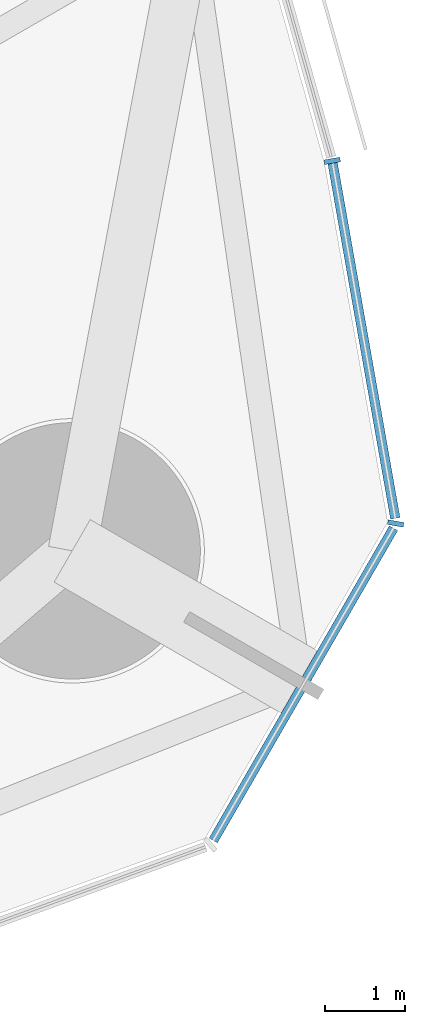
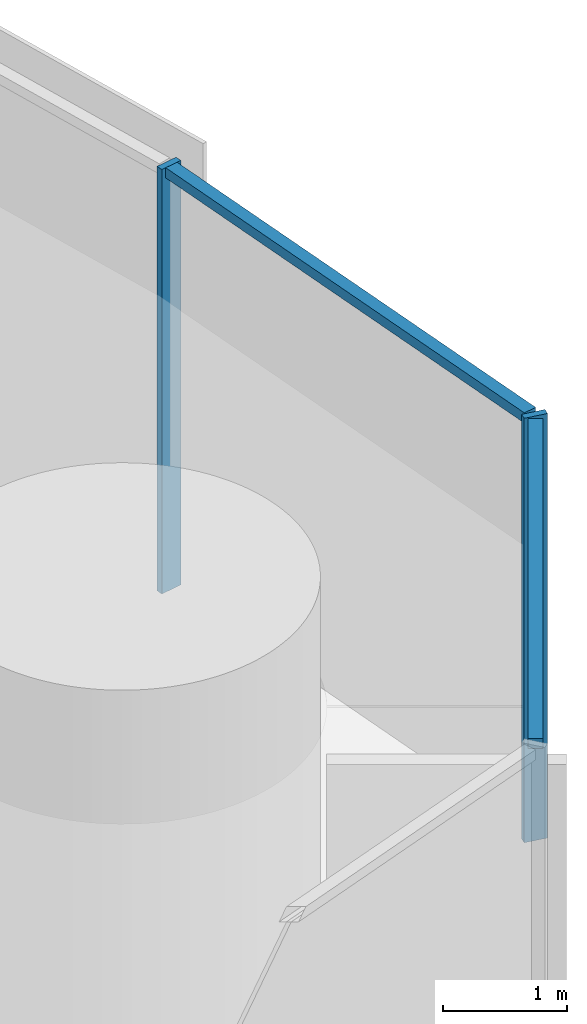
# One storey, part 9 of 19: 4 members, 1 element without a shape of its own.
"""IFC4 building model written with IfcOpenShell, lengths in metres."""

from ifc_helpers import new_model, si_unit, direction, frame, origin, origin_2d, place, context, subcontext, project, spatial, rectangle, extrude, material, material_profile, profile_set, type_object, element, aggregate, save


model = new_model("IFC4")

# Units and contexts
model_context = context("Model", 3, precision=1e-05, world=origin(), true_north=direction((0.0, 1.0)))
body_context = subcontext(model_context, "Body", "Model", "MODEL_VIEW")
ifc_project = project(units=[si_unit("LENGTHUNIT", "METRE"), si_unit("AREAUNIT", "SQUARE_METRE"), si_unit("VOLUMEUNIT", "CUBIC_METRE"), si_unit("PLANEANGLEUNIT", "RADIAN"), si_unit("MASSUNIT", "GRAM", prefix="KILO")], contexts=[model_context])

# Site, building, storey
site_placement = place(None, origin())
site = spatial("IfcSite", under=ifc_project, at=site_placement, CompositionType="ELEMENT")
building_placement = place(site_placement, origin())
building = spatial("IfcBuilding", under=site, at=building_placement, Name="Trefoil Bronze Tower", CompositionType="ELEMENT")
storey_placement = place(building_placement, frame((0.0, 0.0, 206.5)))
storey = spatial("IfcBuildingStorey", under=building, at=storey_placement, Name="L47", CompositionType="ELEMENT", Elevation=206.5)

# Curtain wall, members
ifc_material_1 = material(Name="Tinted solar-control glass", Category="glass")
curtain_wall_type = type_object("IfcCurtainWallType", Name="Bronze rounded corner curtain wall", PredefinedType="USERDEFINED", material=ifc_material_1)
curtain_wall_placement = place(storey_placement, origin())
curtain_wall = element("IfcCurtainWall", 1, at=curtain_wall_placement, inside=storey, type_object=curtain_wall_type, Name="CW-B L47 K1", ObjectType="CURTAIN WALL", PredefinedType="USERDEFINED")
ifc_material_2 = material(Name="Bronze-finish aluminium", Category="aluminium")
ifc_material_profile_1 = material_profile(ifc_material_2, rectangle(XDim=0.199951171875, YDim=0.06005859375, at=origin_2d()), Name="CW-B mullion")
ifc_profile_set_1 = profile_set([ifc_material_profile_1], Name="Bronze-finish aluminium")
member_type_1 = type_object("IfcMemberType", Name="Bronze rounded corner curtain wall mullion", PredefinedType="MULLION", material=ifc_profile_set_1)
member_1_placement = place(storey_placement, frame((32.616943359375, -16.158935546875, 0.0), z_axis=(0.0, 0.0, 1.0), x_axis=(-0.984807753012, 0.173648177667, 0.0)))
member_1 = element("IfcMember", 2, at=member_1_placement, type_object=member_type_1, Name="CW-B L47 K1 mullion 3", PredefinedType="MULLION", context=body_context, shape_type="SweptSolid", body=[
    extrude(rectangle(XDim=0.199951171875, YDim=0.06005859375, at=origin_2d()), origin(), (0.0, 0.0, 1.0), 4.179931640625),
])
member_2_placement = place(storey_placement, frame((31.824951171875, -11.63330078125, 0.0), z_axis=(0.0, 0.0, 1.0), x_axis=(-0.984807753012, -0.173648177667, 0.0)))
member_2 = element("IfcMember", 3, at=member_2_placement, type_object=member_type_1, Name="CW-B L47 K1 mullion 4", PredefinedType="MULLION", context=body_context, shape_type="SweptSolid", body=[
    extrude(rectangle(XDim=0.199951171875, YDim=0.06005859375, at=origin_2d()), origin(), (0.0, 0.0, 1.0), 4.179931640625),
])
ifc_material_3 = material(Name="Bronze-finish aluminium", Category="aluminium")
ifc_material_profile_2 = material_profile(ifc_material_3, rectangle(XDim=0.1201171875, YDim=0.10009765625, at=origin_2d()), Name="CW-B transom")
ifc_profile_set_2 = profile_set([ifc_material_profile_2], Name="Bronze-finish aluminium")
member_type_2 = type_object("IfcMemberType", Name="Bronze rounded corner curtain wall transom", PredefinedType="USERDEFINED", material=ifc_profile_set_2)
member_3_placement = place(storey_placement, frame((30.33984375, -20.114990234375, 4.1298828125), z_axis=(0.500007335828, 0.866021168401, 0.0), x_axis=(-0.866021168401, 0.500007335828, 0.0)))
member_3 = element("IfcMember", 4, at=member_3_placement, type_object=member_type_2, Name="CW-B L47 K1 transom 2", ObjectType="TRANSOM", PredefinedType="USERDEFINED", context=body_context, shape_type="SweptSolid", body=[
    extrude(rectangle(XDim=0.1201171875, YDim=0.10009765625, at=origin_2d()), origin(), (0.0, 0.0, 1.0), 4.50048828125),
])
member_4_placement = place(storey_placement, frame((32.611572265625, -16.0947265625, 4.1298828125), z_axis=(-0.173655350028, 0.984806488304, 0.0), x_axis=(-0.984806488304, -0.173655350028, 0.0)))
member_4 = element("IfcMember", 5, at=member_4_placement, type_object=member_type_2, Name="CW-B L47 K1 transom 3", ObjectType="TRANSOM", PredefinedType="USERDEFINED", context=body_context, shape_type="SweptSolid", body=[
    extrude(rectangle(XDim=0.1201171875, YDim=0.10009765625, at=origin_2d()), origin(), (0.0, 0.0, 1.0), 4.500244140625),
])
aggregate(curtain_wall, [member_1, member_2, member_3, member_4])

save(model, "model.ifc")
